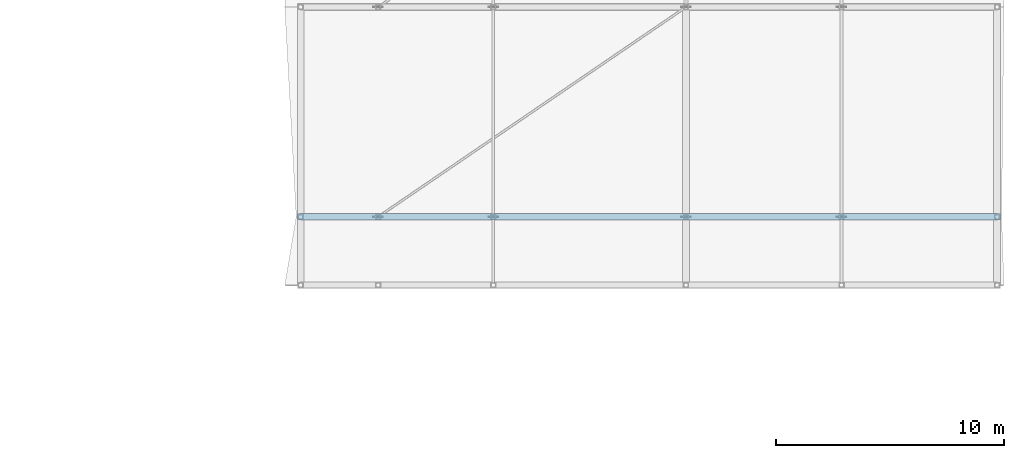
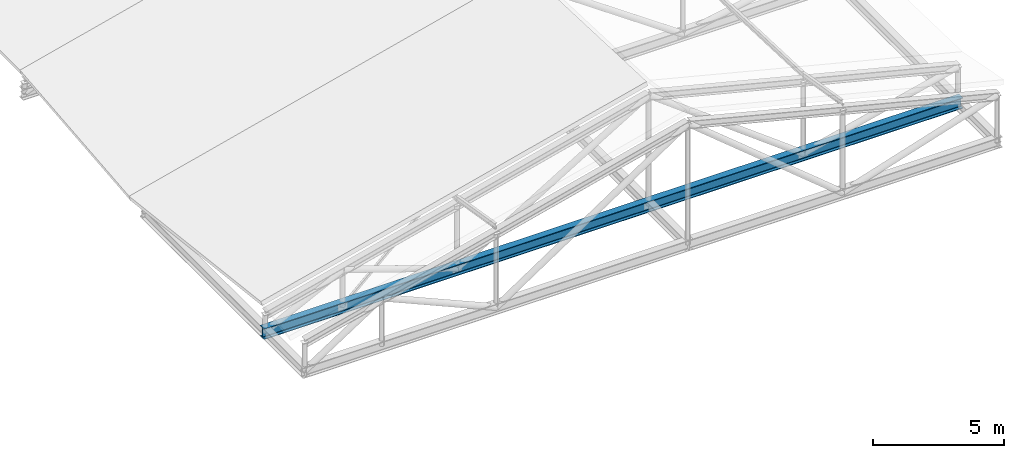
# One storey, part 29 of 56: 1 beam.
"""IFC4 building model written with IfcOpenShell, lengths in metres."""

from ifc_helpers import new_model, si_unit, direction, frame, origin, origin_2d, place, context, subcontext, project, spatial, i_section, extrude, material, material_profile, profile_set, type_object, element, save


model = new_model("IFC4")

# Units and contexts
model_context = context("Model", 3, precision=1e-05, world=origin(), true_north=direction((0.0, 1.0)))
body_context = subcontext(model_context, "Body", "Model", "MODEL_VIEW")
ifc_project = project(units=[si_unit("LENGTHUNIT", "METRE"), si_unit("AREAUNIT", "SQUARE_METRE"), si_unit("VOLUMEUNIT", "CUBIC_METRE"), si_unit("PLANEANGLEUNIT", "RADIAN"), si_unit("MASSUNIT", "GRAM", prefix="KILO")], contexts=[model_context])

# Site, building, storey
site_placement = place(None, origin())
site = spatial("IfcSite", under=ifc_project, at=site_placement, CompositionType="ELEMENT")
building_placement = place(site_placement, origin())
building = spatial("IfcBuilding", under=site, at=building_placement, Name="Bozkorgan Art Gallery", CompositionType="ELEMENT")
storey_placement = place(building_placement, frame((0.0, 0.0, 24.0)))
storey = spatial("IfcBuildingStorey", under=building, at=storey_placement, Name="L05", CompositionType="ELEMENT", Elevation=24.0)

# Beam
ifc_material = material(Name="Steel S355J2", Category="steel")
ifc_material_profile = material_profile(ifc_material, i_section(OverallWidth=0.300048828125, OverallDepth=0.5, WebThickness=0.014404296875, FlangeThickness=0.028076171875, FilletRadius=0.027099609375, at=origin_2d()), Name="HEB 500")
ifc_profile_set = profile_set([ifc_material_profile], Name="Steel S355J2")
beam_type = type_object("IfcBeamType", Name="BEAM-TO-52", PredefinedType="BEAM", material=ifc_profile_set)
beam_placement = place(storey_placement, frame((133.4599609375, 66.0, 0.25), z_axis=(1.0, 0.0, 0.0), x_axis=(0.0, 1.0, 0.0)))
element("IfcBeam", 1, at=beam_placement, inside=storey, type_object=beam_type, Name="ROOF-V5-MAIN roof truss 2 bottom chord", PredefinedType="BEAM", context=body_context, shape_type="SweptSolid", body=[
    extrude(i_section(OverallWidth=0.300048828125, OverallDepth=0.5, WebThickness=0.014404296875, FlangeThickness=0.028076171875, FilletRadius=0.027099609375, at=origin_2d()), origin(), (0.0, 0.0, 1.0), 30.830078125),
])

save(model, "model.ifc")
